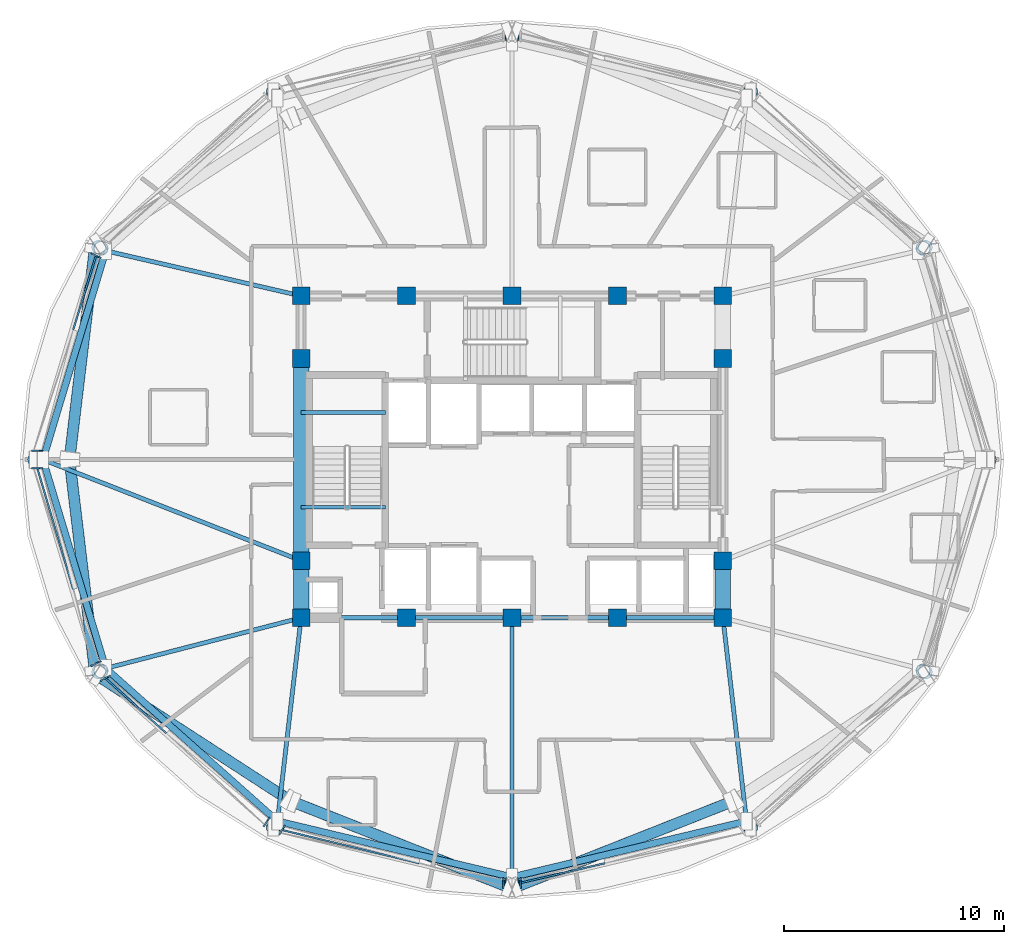
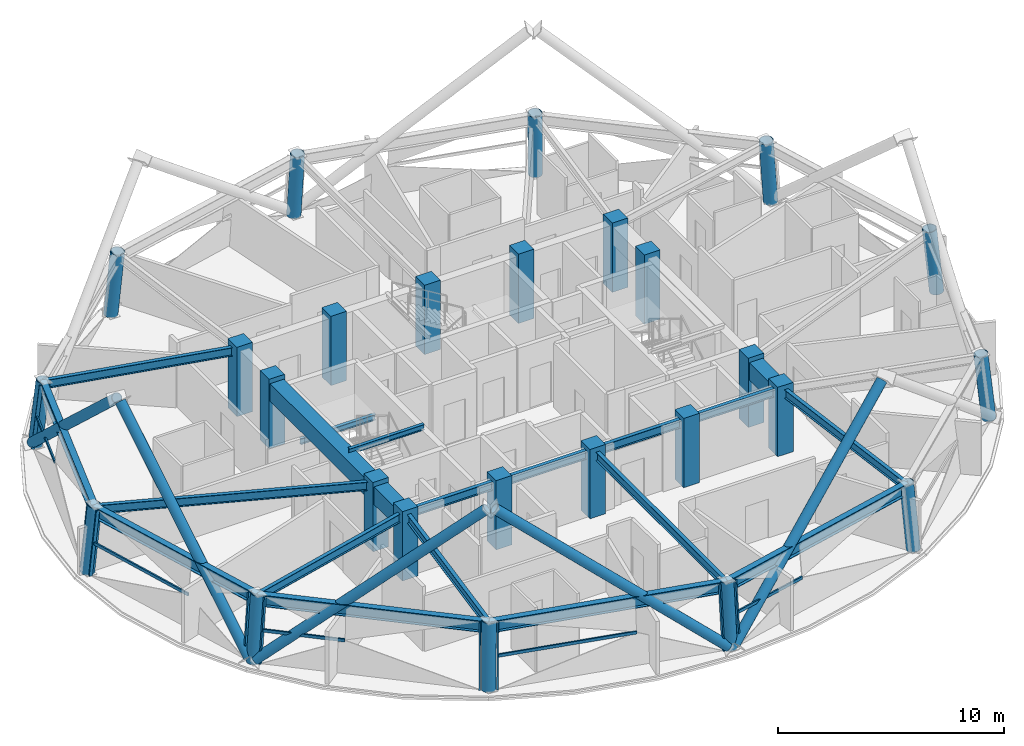
# One storey, part 1 of 12: 26 columns, 20 beams, 19 members, 5 elements without a shape of their own.
"""IFC4 building model written with IfcOpenShell, lengths in metres."""

from ifc_helpers import new_model, si_unit, direction, frame, origin, origin_2d, place, context, subcontext, project, spatial, rectangle, hollow_rectangle, hollow_circle, i_section, extrude, material, layer, layer_set, material_profile, profile_set, type_object, element, aggregate, save


model = new_model("IFC4")

# Units and contexts
model_context = context("Model", 3, precision=1e-05, world=origin(), true_north=direction((0.0, 1.0)))
body_context = subcontext(model_context, "Body", "Model", "MODEL_VIEW")
ifc_project = project(units=[si_unit("LENGTHUNIT", "METRE"), si_unit("AREAUNIT", "SQUARE_METRE"), si_unit("VOLUMEUNIT", "CUBIC_METRE"), si_unit("PLANEANGLEUNIT", "RADIAN"), si_unit("MASSUNIT", "GRAM", prefix="KILO")], contexts=[model_context])

# Site, building, storey
site_placement = place(None, origin())
site = spatial("IfcSite", under=ifc_project, at=site_placement, CompositionType="ELEMENT")
building_placement = place(site_placement, origin())
building = spatial("IfcBuilding", under=site, at=building_placement, Name="Vantalir Tower", CompositionType="ELEMENT")
storey_placement = place(building_placement, frame((0.0, 0.0, 249.89990234375)))
storey = spatial("IfcBuildingStorey", under=building, at=storey_placement, Name="L63", CompositionType="ELEMENT", Elevation=249.89990234375)

# Columns
ifc_material_1 = material(Name="Concrete C50/60", Category="concrete")
ifc_material_profile_1 = material_profile(ifc_material_1, rectangle(XDim=0.800048828125, YDim=0.800048828125, at=origin_2d()), Name="Concrete C50/60")
ifc_profile_set_1 = profile_set([ifc_material_profile_1], Name="Concrete C50/60")
column_type_1 = type_object("IfcColumnType", Name="COL-CC-800", PredefinedType="COLUMN", material=ifc_profile_set_1)
for number, where, z_axis, x_axis, name in (
    (1, (21.89990234375, 17.800048828125, 0.0), (0.0, 0.0, 1.0), (1.0, 0.0, 0.0), "L63 Core Column CC01"),
    (2, (26.699951171875, 17.800048828125, 0.0), (0.0, 0.0, 1.0), (1.0, 0.0, 0.0), "L63 Core Column CC02"),
    (3, (31.5, 17.800048828125, 0.0), (0.0, 0.0, 1.0), (1.0, 0.0, 0.0), "L63 Core Column CC03"),
    (4, (36.300048828125, 17.800048828125, 0.0), (0.0, 0.0, 1.0), (1.0, 0.0, 0.0), "L63 Core Column CC04"),
    (5, (41.10009765625, 17.800048828125, 0.0), (0.0, 0.0, 1.0), (1.0, 0.0, 0.0), "L63 Core Column CC05"),
    (6, (21.89990234375, 20.39990234375, 0.0), (0.0, 0.0, 1.0), (1.0, 0.0, 0.0), "L63 Core Column CC06"),
    (7, (21.89990234375, 29.60009765625, 0.0), (0.0, 0.0, 1.0), (1.0, 0.0, 0.0), "L63 Core Column CC07"),
    (8, (41.10009765625, 20.39990234375, 0.0), (0.0, 0.0, 1.0), (1.0, 0.0, 0.0), "L63 Core Column CC08"),
    (9, (41.10009765625, 29.60009765625, 0.0), (0.0, 0.0, 1.0), (1.0, 0.0, 0.0), "L63 Core Column CC09"),
    (10, (21.89990234375, 32.449951171875, 0.0), (0.0, 0.0, 1.0), (1.0, 0.0, 0.0), "L63 Core Column CC10"),
    (11, (26.699951171875, 32.449951171875, 0.0), (0.0, 0.0, 1.0), (1.0, 0.0, 0.0), "L63 Core Column CC11"),
    (12, (31.5, 32.449951171875, 0.0), (0.0, 0.0, 1.0), (1.0, 0.0, 0.0), "L63 Core Column CC12"),
    (13, (36.300048828125, 32.449951171875, 0.0), (0.0, 0.0, 1.0), (1.0, 0.0, 0.0), "L63 Core Column CC13"),
    (14, (41.10009765625, 32.449951171875, 0.0), (0.0, 0.0, 1.0), (1.0, 0.0, 0.0), "L63 Core Column CC14"),
):
    element("IfcColumn", number, at=place(storey_placement, frame(where, z_axis=z_axis, x_axis=x_axis)), inside=storey, type_object=column_type_1, Name=name, PredefinedType="COLUMN", context=body_context, shape_type="SweptSolid", body=[
        extrude(rectangle(XDim=0.800048828125, YDim=0.800048828125, at=origin_2d()), origin(), (0.0, 0.0, 1.0), 3.75),
    ])
ifc_material_2 = material(Name="Steel S460", Category="steel")
ifc_material_profile_2 = material_profile(ifc_material_2, hollow_circle(Radius=0.324951171875, WallThickness=0.030029296875, at=origin_2d()), Name="Steel S460")
ifc_profile_set_2 = profile_set([ifc_material_profile_2], Name="Steel S460")
column_type_2 = type_object("IfcColumnType", Name="COL-RC-650", PredefinedType="COLUMN", material=ifc_profile_set_2)
column_1_placement = place(storey_placement, frame((53.218017578125, 25.0, 0.0), z_axis=(-0.104543948341, 0.0, 0.9945202677), x_axis=(0.0, -1.0, 0.0)))
element("IfcColumn", 15, at=column_1_placement, inside=storey, type_object=column_type_2, Name="L63 Perimeter Ring Column RC01", PredefinedType="COLUMN", context=body_context, shape_type="SweptSolid", body=[
    extrude(hollow_circle(Radius=0.324951171875, WallThickness=0.030029296875, at=origin_2d()), origin(), (0.0, 0.0, 1.0), 3.519287109375),
])
column_2_placement = place(storey_placement, frame((50.30810546875, 34.666015625, 0.0), z_axis=(-0.09041848627, -0.04663179031, 0.994811526608), x_axis=(0.458364904761, -0.888764093606, 0.0)))
element("IfcColumn", 16, at=column_2_placement, inside=storey, type_object=column_type_2, Name="L63 Perimeter Ring Column RC02", PredefinedType="COLUMN", context=body_context, shape_type="SweptSolid", body=[
    extrude(hollow_circle(Radius=0.324951171875, WallThickness=0.030029296875, at=origin_2d()), origin(), (0.0, 0.0, 1.0), 3.518310546875),
])
column_3_placement = place(storey_placement, frame((42.35888671875, 41.742919921875, 0.0), z_axis=(-0.052280348299, -0.081024125451, 0.995340070668), x_axis=(0.840264904476, -0.542176069469, 0.0)))
element("IfcColumn", 17, at=column_3_placement, inside=storey, type_object=column_type_2, Name="L63 Perimeter Ring Column RC03", PredefinedType="COLUMN", context=body_context, shape_type="SweptSolid", body=[
    extrude(hollow_circle(Radius=0.324951171875, WallThickness=0.030029296875, at=origin_2d()), origin(), (0.0, 0.0, 1.0), 3.516357421875),
])
column_4_placement = place(storey_placement, frame((31.5, 44.3330078125, 0.0), z_axis=(0.0, -0.093616077373, 0.99560837183), x_axis=(1.0, 0.0, 0.0)))
element("IfcColumn", 18, at=column_4_placement, inside=storey, type_object=column_type_2, Name="L63 Perimeter Ring Column RC04", PredefinedType="COLUMN", context=body_context, shape_type="SweptSolid", body=[
    extrude(hollow_circle(Radius=0.324951171875, WallThickness=0.030029296875, at=origin_2d()), origin(), (0.0, 0.0, 1.0), 3.515380859375),
])
column_5_placement = place(storey_placement, frame((20.64111328125, 41.742919921875, 0.0), z_axis=(0.052280348299, -0.081024125451, 0.995340070668), x_axis=(0.840264904476, 0.542176069469, 0.0)))
element("IfcColumn", 19, at=column_5_placement, inside=storey, type_object=column_type_2, Name="L63 Perimeter Ring Column RC05", PredefinedType="COLUMN", context=body_context, shape_type="SweptSolid", body=[
    extrude(hollow_circle(Radius=0.324951171875, WallThickness=0.030029296875, at=origin_2d()), origin(), (0.0, 0.0, 1.0), 3.516357421875),
])
column_6_placement = place(storey_placement, frame((12.69189453125, 34.666015625, 0.0), z_axis=(0.09041848627, -0.04663179031, 0.994811526608), x_axis=(0.458364904761, 0.888764093606, 0.0)))
element("IfcColumn", 20, at=column_6_placement, inside=storey, type_object=column_type_2, Name="L63 Perimeter Ring Column RC06", PredefinedType="COLUMN", context=body_context, shape_type="SweptSolid", body=[
    extrude(hollow_circle(Radius=0.324951171875, WallThickness=0.030029296875, at=origin_2d()), origin(), (0.0, 0.0, 1.0), 3.518310546875),
])
column_7_placement = place(storey_placement, frame((9.781982421875, 25.0, 0.0), z_axis=(0.104543948341, 0.0, 0.9945202677), x_axis=(0.0, 1.0, 0.0)))
element("IfcColumn", 21, at=column_7_placement, inside=storey, type_object=column_type_2, Name="L63 Perimeter Ring Column RC07", PredefinedType="COLUMN", context=body_context, shape_type="SweptSolid", body=[
    extrude(hollow_circle(Radius=0.324951171875, WallThickness=0.030029296875, at=origin_2d()), origin(), (0.0, 0.0, 1.0), 3.519287109375),
])
column_8_placement = place(storey_placement, frame((12.69189453125, 15.3330078125, 0.0), z_axis=(0.09041731247, 0.046908751519, 0.9947986121), x_axis=(-0.460516000373, 0.887651403086, 0.0)))
element("IfcColumn", 22, at=column_8_placement, inside=storey, type_object=column_type_2, Name="L63 Perimeter Ring Column RC08", PredefinedType="COLUMN", context=body_context, shape_type="SweptSolid", body=[
    extrude(hollow_circle(Radius=0.324951171875, WallThickness=0.030029296875, at=origin_2d()), origin(), (0.0, 0.0, 1.0), 3.518310546875),
])
column_9_placement = place(storey_placement, frame((20.64111328125, 8.257080078125, 0.0), z_axis=(0.052280348299, 0.081024125451, 0.995340070668), x_axis=(-0.840264904476, 0.542176069469, 0.0)))
element("IfcColumn", 23, at=column_9_placement, inside=storey, type_object=column_type_2, Name="L63 Perimeter Ring Column RC09", PredefinedType="COLUMN", context=body_context, shape_type="SweptSolid", body=[
    extrude(hollow_circle(Radius=0.324951171875, WallThickness=0.030029296875, at=origin_2d()), origin(), (0.0, 0.0, 1.0), 3.516357421875),
])
column_10_placement = place(storey_placement, frame((31.5, 5.6669921875, 0.0), z_axis=(0.0, 0.093616077373, 0.99560837183), x_axis=(-1.0, 0.0, 0.0)))
element("IfcColumn", 24, at=column_10_placement, inside=storey, type_object=column_type_2, Name="L63 Perimeter Ring Column RC10", PredefinedType="COLUMN", context=body_context, shape_type="SweptSolid", body=[
    extrude(hollow_circle(Radius=0.324951171875, WallThickness=0.030029296875, at=origin_2d()), origin(), (0.0, 0.0, 1.0), 3.515380859375),
])
column_11_placement = place(storey_placement, frame((42.35888671875, 8.257080078125, 0.0), z_axis=(-0.052280348299, 0.081024125451, 0.995340070668), x_axis=(-0.840264904476, -0.542176069469, 0.0)))
element("IfcColumn", 25, at=column_11_placement, inside=storey, type_object=column_type_2, Name="L63 Perimeter Ring Column RC11", PredefinedType="COLUMN", context=body_context, shape_type="SweptSolid", body=[
    extrude(hollow_circle(Radius=0.324951171875, WallThickness=0.030029296875, at=origin_2d()), origin(), (0.0, 0.0, 1.0), 3.516357421875),
])
column_12_placement = place(storey_placement, frame((50.30810546875, 15.3330078125, 0.0), z_axis=(-0.09041731247, 0.046908751519, 0.9947986121), x_axis=(-0.460516000373, -0.887651403086, 0.0)))
element("IfcColumn", 26, at=column_12_placement, inside=storey, type_object=column_type_2, Name="L63 Perimeter Ring Column RC12", PredefinedType="COLUMN", context=body_context, shape_type="SweptSolid", body=[
    extrude(hollow_circle(Radius=0.324951171875, WallThickness=0.030029296875, at=origin_2d()), origin(), (0.0, 0.0, 1.0), 3.518310546875),
])

# Beams
ifc_material_3 = material(Name="Concrete C60/75", Category="concrete")
ifc_material_profile_3 = material_profile(ifc_material_3, rectangle(XDim=0.699951171875, YDim=0.949951171875, at=origin_2d()), Name="Concrete C60/75")
ifc_profile_set_3 = profile_set([ifc_material_profile_3], Name="Concrete C60/75")
beam_type_1 = type_object("IfcBeamType", Name="BM-CB-700x950", PredefinedType="USERDEFINED", material=ifc_profile_set_3)
beam_1_placement = place(storey_placement, frame((41.10009765625, 17.800048828125, 3.025146484375), z_axis=(0.0, 1.0, 0.0), x_axis=(-1.0, 0.0, 0.0)))
element("IfcBeam", 27, at=beam_1_placement, inside=storey, type_object=beam_type_1, Name="L63 Core Coupling Girder 05", ObjectType="GIRDER", PredefinedType="USERDEFINED", context=body_context, shape_type="SweptSolid", body=[
    extrude(rectangle(XDim=0.699951171875, YDim=0.949951171875, at=origin_2d()), origin(), (0.0, 0.0, 1.0), 2.599853515625),
])
beam_2_placement = place(storey_placement, frame((21.89990234375, 29.60009765625, 3.025146484375), z_axis=(0.0, -1.0, 0.0), x_axis=(1.0, 0.0, 0.0)))
element("IfcBeam", 28, at=beam_2_placement, inside=storey, type_object=beam_type_1, Name="L63 Core Coupling Girder 13", ObjectType="GIRDER", PredefinedType="USERDEFINED", context=body_context, shape_type="SweptSolid", body=[
    extrude(rectangle(XDim=0.699951171875, YDim=0.949951171875, at=origin_2d()), origin(), (0.0, 0.0, 1.0), 9.2001953125),
])
beam_3_placement = place(storey_placement, frame((21.89990234375, 20.39990234375, 3.025146484375), z_axis=(0.0, -1.0, 0.0), x_axis=(1.0, 0.0, 0.0)))
element("IfcBeam", 29, at=beam_3_placement, inside=storey, type_object=beam_type_1, Name="L63 Core Coupling Girder 14", ObjectType="GIRDER", PredefinedType="USERDEFINED", context=body_context, shape_type="SweptSolid", body=[
    extrude(rectangle(XDim=0.699951171875, YDim=0.949951171875, at=origin_2d()), origin(), (0.0, 0.0, 1.0), 2.599853515625),
])
ifc_material_4 = material(Name="Steel S355", Category="steel")
ifc_material_profile_4 = material_profile(ifc_material_4, i_section(OverallWidth=0.166015625, OverallDepth=0.306884765625, WebThickness=0.006591796875, FlangeThickness=0.01171875, at=origin_2d()), Name="Steel S355")
ifc_profile_set_4 = profile_set([ifc_material_profile_4], Name="Steel S355")
beam_type_2 = type_object("IfcBeamType", Name="BM-JS-305x165", PredefinedType="JOIST", material=ifc_profile_set_4)
for number, where, z_axis, x_axis, name in (
    (30, (21.89990234375, 22.8349609375, 3.59619140625), (1.0, 0.0, 0.0), (0.0, 1.0, 0.0), "L64 Stair ST1 Well Nosing Trimmer Beam"),
    (31, (21.89990234375, 27.14501953125, 1.52099609375), (1.0, 0.0, 0.0), (0.0, 1.0, 0.0), "L63 Stair ST1 Half-Landing Support Beam"),
):
    element("IfcBeam", number, at=place(storey_placement, frame(where, z_axis=z_axis, x_axis=x_axis)), inside=storey, type_object=beam_type_2, Name=name, PredefinedType="JOIST", context=body_context, shape_type="SweptSolid", body=[
        extrude(i_section(OverallWidth=0.166015625, OverallDepth=0.306884765625, WebThickness=0.006591796875, FlangeThickness=0.01171875, at=origin_2d()), origin(), (0.0, 0.0, 1.0), 3.840087890625),
    ])
ifc_material_profile_5 = material_profile(ifc_material_4, i_section(OverallWidth=0.19189453125, OverallDepth=0.462890625, WebThickness=0.010498046875, FlangeThickness=0.017578125, at=origin_2d()), Name="Steel S355")
ifc_profile_set_5 = profile_set([ifc_material_profile_5], Name="Steel S355")
beam_type_3 = type_object("IfcBeamType", Name="BM-RB-457x191", PredefinedType="BEAM", material=ifc_profile_set_5)
for number, where, z_axis, x_axis, name in (
    (32, (21.89990234375, 17.800048828125, 3.26806640625), (1.0, 0.0, 0.0), (0.0, 1.0, 0.0), "L63 Core Coupling Girder 01"),
    (33, (26.699951171875, 17.800048828125, 3.26806640625), (1.0, 0.0, 0.0), (0.0, 1.0, 0.0), "L63 Core Coupling Girder 02"),
    (34, (31.5, 17.800048828125, 3.26806640625), (1.0, 0.0, 0.0), (0.0, 1.0, 0.0), "L63 Core Coupling Girder 03"),
    (35, (36.300048828125, 17.800048828125, 3.26806640625), (1.0, 0.0, 0.0), (0.0, 1.0, 0.0), "L63 Core Coupling Girder 04"),
):
    element("IfcBeam", number, at=place(storey_placement, frame(where, z_axis=z_axis, x_axis=x_axis)), inside=storey, type_object=beam_type_3, Name=name, PredefinedType="BEAM", context=body_context, shape_type="SweptSolid", body=[
        extrude(i_section(OverallWidth=0.19189453125, OverallDepth=0.462890625, WebThickness=0.010498046875, FlangeThickness=0.017578125, at=origin_2d()), origin(), (0.0, 0.0, 1.0), 4.800048828125),
    ])
beam_4_placement = place(storey_placement, frame((13.010009765625, 34.501953125, 3.26806640625), z_axis=(0.974379468468, -0.224910318635, 0.0), x_axis=(0.224910318635, 0.974379468468, 0.0)))
element("IfcBeam", 36, at=beam_4_placement, inside=storey, type_object=beam_type_3, Name="L63 Radial Floor Beam 06", PredefinedType="BEAM", context=body_context, shape_type="SweptSolid", body=[
    extrude(i_section(OverallWidth=0.19189453125, OverallDepth=0.462890625, WebThickness=0.010498046875, FlangeThickness=0.017578125, at=origin_2d()), origin(), (0.0, 0.0, 1.0), 9.12353515625),
])
beam_5_placement = place(storey_placement, frame((10.14990234375, 25.0, 3.26806640625), z_axis=(0.931181677614, -0.364555459807, 0.0), x_axis=(0.364555459807, 0.931181677614, 0.0)))
element("IfcBeam", 37, at=beam_5_placement, inside=storey, type_object=beam_type_3, Name="L63 Radial Floor Beam 07", PredefinedType="BEAM", context=body_context, shape_type="SweptSolid", body=[
    extrude(i_section(OverallWidth=0.19189453125, OverallDepth=0.462890625, WebThickness=0.010498046875, FlangeThickness=0.017578125, at=origin_2d()), origin(), (0.0, 0.0, 1.0), 12.618408203125),
])
beam_6_placement = place(storey_placement, frame((13.010009765625, 15.498046875, 3.26806640625), z_axis=(0.968070531378, 0.250677973261, 0.0), x_axis=(-0.250677973261, 0.968070531378, 0.0)))
element("IfcBeam", 38, at=beam_6_placement, inside=storey, type_object=beam_type_3, Name="L63 Radial Floor Beam 08", PredefinedType="BEAM", context=body_context, shape_type="SweptSolid", body=[
    extrude(i_section(OverallWidth=0.19189453125, OverallDepth=0.462890625, WebThickness=0.010498046875, FlangeThickness=0.017578125, at=origin_2d()), origin(), (0.0, 0.0, 1.0), 9.18310546875),
])
beam_7_placement = place(storey_placement, frame((20.824951171875, 8.5419921875, 3.26806640625), z_axis=(0.115334966544, 0.993326655986, 0.0), x_axis=(-0.993326655986, 0.115334966544, 0.0)))
element("IfcBeam", 39, at=beam_7_placement, inside=storey, type_object=beam_type_3, Name="L63 Radial Floor Beam 09", PredefinedType="BEAM", context=body_context, shape_type="SweptSolid", body=[
    extrude(i_section(OverallWidth=0.19189453125, OverallDepth=0.462890625, WebThickness=0.010498046875, FlangeThickness=0.017578125, at=origin_2d()), origin(), (0.0, 0.0, 1.0), 9.3203125),
])
beam_8_placement = place(storey_placement, frame((31.5, 5.99609375, 3.26806640625), z_axis=(0.0, 1.0, 0.0), x_axis=(-1.0, 0.0, 0.0)))
element("IfcBeam", 40, at=beam_8_placement, inside=storey, type_object=beam_type_3, Name="L63 Radial Floor Beam 10", PredefinedType="BEAM", context=body_context, shape_type="SweptSolid", body=[
    extrude(i_section(OverallWidth=0.19189453125, OverallDepth=0.462890625, WebThickness=0.010498046875, FlangeThickness=0.017578125, at=origin_2d()), origin(), (0.0, 0.0, 1.0), 11.803955078125),
])
beam_9_placement = place(storey_placement, frame((42.175048828125, 8.5419921875, 3.26806640625), z_axis=(-0.115334966544, 0.993326655986, 0.0), x_axis=(-0.993326655986, -0.115334966544, 0.0)))
element("IfcBeam", 41, at=beam_9_placement, inside=storey, type_object=beam_type_3, Name="L63 Radial Floor Beam 11", PredefinedType="BEAM", context=body_context, shape_type="SweptSolid", body=[
    extrude(i_section(OverallWidth=0.19189453125, OverallDepth=0.462890625, WebThickness=0.010498046875, FlangeThickness=0.017578125, at=origin_2d()), origin(), (0.0, 0.0, 1.0), 9.3203125),
])
ifc_material_profile_6 = material_profile(ifc_material_2, i_section(OverallWidth=0.306884765625, OverallDepth=0.6201171875, WebThickness=0.01416015625, FlangeThickness=0.023681640625, at=origin_2d()), Name="Steel S460")
ifc_profile_set_6 = profile_set([ifc_material_profile_6], Name="Steel S460")
beam_type_4 = type_object("IfcBeamType", Name="BM-RG-610x305", PredefinedType="USERDEFINED", material=ifc_profile_set_6)
for number, where, z_axis, x_axis, name in (
    (42, (13.010009765625, 34.501953125, 3.190185546875), (-0.288228067012, -0.957561789853, 0.0), (0.957561789853, -0.288228067012, 0.0), "L63 Circumferential Ring Girder 06"),
    (43, (10.14990234375, 25.0, 3.190185546875), (0.288228067012, -0.957561789853, 0.0), (0.957561789853, 0.288228067012, 0.0), "L63 Circumferential Ring Girder 07"),
):
    element("IfcBeam", number, at=place(storey_placement, frame(where, z_axis=z_axis, x_axis=x_axis)), inside=storey, type_object=beam_type_4, Name=name, ObjectType="GIRDER", PredefinedType="USERDEFINED", context=body_context, shape_type="SweptSolid", body=[
        extrude(i_section(OverallWidth=0.306884765625, OverallDepth=0.6201171875, WebThickness=0.01416015625, FlangeThickness=0.023681640625, at=origin_2d()), origin(), (0.0, 0.0, 1.0), 9.923095703125),
    ])
beam_10_placement = place(storey_placement, frame((13.010009765625, 15.498046875, 3.190185546875), z_axis=(0.746961112069, -0.664867728993, 0.0), x_axis=(0.664867728993, 0.746961112069, 0.0)))
element("IfcBeam", 44, at=beam_10_placement, inside=storey, type_object=beam_type_4, Name="L63 Circumferential Ring Girder 08", ObjectType="GIRDER", PredefinedType="USERDEFINED", context=body_context, shape_type="SweptSolid", body=[
    extrude(i_section(OverallWidth=0.306884765625, OverallDepth=0.6201171875, WebThickness=0.01416015625, FlangeThickness=0.023681640625, at=origin_2d()), origin(), (0.0, 0.0, 1.0), 10.46240234375),
])
for number, where, z_axis, x_axis, name in (
    (45, (20.824951171875, 8.5419921875, 3.190185546875), (0.972719500618, -0.231984424298, 0.0), (0.231984424298, 0.972719500618, 0.0), "L63 Circumferential Ring Girder 09"),
    (46, (31.5, 5.99609375, 3.190185546875), (0.972719500618, 0.231984424298, 0.0), (-0.231984424298, 0.972719500618, 0.0), "L63 Circumferential Ring Girder 10"),
):
    element("IfcBeam", number, at=place(storey_placement, frame(where, z_axis=z_axis, x_axis=x_axis)), inside=storey, type_object=beam_type_4, Name=name, ObjectType="GIRDER", PredefinedType="USERDEFINED", context=body_context, shape_type="SweptSolid", body=[
        extrude(i_section(OverallWidth=0.306884765625, OverallDepth=0.6201171875, WebThickness=0.01416015625, FlangeThickness=0.023681640625, at=origin_2d()), origin(), (0.0, 0.0, 1.0), 10.974365234375),
    ])

# Curtain wall, members
ifc_material_5 = material(Name="Champagne-silver PVDF aluminium and double-silver Low-E glass", Category="aluminium")
ifc_layer = layer(ifc_material_5, 0.2099609375)
ifc_layer_set = layer_set([ifc_layer], Name="Champagne-silver PVDF aluminium and double-silver Low-E glass")
curtain_wall_type = type_object("IfcCurtainWallType", Name="CW-DIAMOND-Z3", PredefinedType="USERDEFINED", material=ifc_layer_set)
curtain_wall_1_placement = place(storey_placement, origin())
curtain_wall_1 = element("IfcCurtainWall", 47, at=curtain_wall_1_placement, inside=storey, type_object=curtain_wall_type, Name="L63 Quilted Pyramid-Diamond Curtain Wall S06", ObjectType="UNITISED CURTAIN WALL", PredefinedType="USERDEFINED")
ifc_material_6 = material(Name="Champagne-silver PVDF aluminium 6063-T6", Category="aluminium")
ifc_material_profile_7 = material_profile(ifc_material_6, hollow_rectangle(XDim=0.070068359375, YDim=0.1650390625, WallThickness=0.00390625, at=origin_2d()), Name="Champagne-silver PVDF aluminium 6063-T6")
ifc_profile_set_7 = profile_set([ifc_material_profile_7], Name="Champagne-silver PVDF aluminium 6063-T6")
member_type_1 = type_object("IfcMemberType", Name="CWM-165x70", PredefinedType="MULLION", material=ifc_profile_set_7)
member_1_placement = place(storey_placement, frame((12.408935546875, 34.367919921875, 0.045166015625), z_axis=(0.093064266323, -0.047778211708, 0.994513089315), x_axis=(0.456717339037, 0.889611866053, 0.0)))
member_1 = element("IfcMember", 48, at=member_1_placement, type_object=member_type_1, Name="CW-L63-S06 Mullion 1", PredefinedType="MULLION", context=body_context, shape_type="SweptSolid", body=[
    extrude(hollow_rectangle(XDim=0.070068359375, YDim=0.1650390625, WallThickness=0.00390625, at=origin_2d()), origin(), (0.0, 0.0, 1.0), 3.4287109375),
])
member_2_placement = place(storey_placement, frame((9.7099609375, 25.39306640625, 0.045166015625), z_axis=(0.107274558481, 0.0, 0.99422943484), x_axis=(0.0, 1.0, 0.0)))
member_2 = element("IfcMember", 49, at=member_2_placement, type_object=member_type_1, Name="CW-L63-S06 Mullion 2", PredefinedType="MULLION", context=body_context, shape_type="SweptSolid", body=[
    extrude(hollow_rectangle(XDim=0.070068359375, YDim=0.1650390625, WallThickness=0.00390625, at=origin_2d()), origin(), (0.0, 0.0, 1.0), 3.4296875),
])

curtain_wall_2_placement = place(storey_placement, origin())
curtain_wall_2 = element("IfcCurtainWall", 50, at=curtain_wall_2_placement, inside=storey, type_object=curtain_wall_type, Name="L63 Quilted Pyramid-Diamond Curtain Wall S07", ObjectType="UNITISED CURTAIN WALL", PredefinedType="USERDEFINED")
member_3_placement = place(storey_placement, frame((9.7099609375, 24.60693359375, 0.045166015625), z_axis=(0.107274558481, 0.0, 0.99422943484), x_axis=(0.0, 1.0, 0.0)))
member_3 = element("IfcMember", 51, at=member_3_placement, type_object=member_type_1, Name="CW-L63-S07 Mullion 1", PredefinedType="MULLION", context=body_context, shape_type="SweptSolid", body=[
    extrude(hollow_rectangle(XDim=0.070068359375, YDim=0.1650390625, WallThickness=0.00390625, at=origin_2d()), origin(), (0.0, 0.0, 1.0), 3.4296875),
])
member_4_placement = place(storey_placement, frame((12.408935546875, 15.631103515625, 0.045166015625), z_axis=(0.093062996147, 0.04806237368, 0.994499515829), x_axis=(-0.458868016969, 0.888504441746, 0.0)))
member_4 = element("IfcMember", 52, at=member_4_placement, type_object=member_type_1, Name="CW-L63-S07 Mullion 2", PredefinedType="MULLION", context=body_context, shape_type="SweptSolid", body=[
    extrude(hollow_rectangle(XDim=0.070068359375, YDim=0.1650390625, WallThickness=0.00390625, at=origin_2d()), origin(), (0.0, 0.0, 1.0), 3.4287109375),
])

curtain_wall_3_placement = place(storey_placement, origin())
curtain_wall_3 = element("IfcCurtainWall", 53, at=curtain_wall_3_placement, inside=storey, type_object=curtain_wall_type, Name="L63 Quilted Pyramid-Diamond Curtain Wall S08", ObjectType="UNITISED CURTAIN WALL", PredefinedType="USERDEFINED")
member_5_placement = place(storey_placement, frame((12.8330078125, 14.965087890625, 0.045166015625), z_axis=(0.093062996147, 0.04806237368, 0.994499515829), x_axis=(-0.458868016969, 0.888504441746, 0.0)))
member_5 = element("IfcMember", 54, at=member_5_placement, type_object=member_type_1, Name="CW-L63-S08 Mullion 1", PredefinedType="MULLION", context=body_context, shape_type="SweptSolid", body=[
    extrude(hollow_rectangle(XDim=0.070068359375, YDim=0.1650390625, WallThickness=0.00390625, at=origin_2d()), origin(), (0.0, 0.0, 1.0), 3.4287109375),
])
member_6_placement = place(storey_placement, frame((20.239990234375, 8.365966796875, 0.045166015625), z_axis=(0.053719253944, 0.083143725932, 0.995088620472), x_axis=(-0.839936857657, 0.542684139394, 0.0)))
member_6 = element("IfcMember", 55, at=member_6_placement, type_object=member_type_1, Name="CW-L63-S08 Mullion 2", PredefinedType="MULLION", context=body_context, shape_type="SweptSolid", body=[
    extrude(hollow_rectangle(XDim=0.070068359375, YDim=0.1650390625, WallThickness=0.00390625, at=origin_2d()), origin(), (0.0, 0.0, 1.0), 3.4267578125),
])

curtain_wall_4_placement = place(storey_placement, origin())
curtain_wall_4 = element("IfcCurtainWall", 56, at=curtain_wall_4_placement, inside=storey, type_object=curtain_wall_type, Name="L63 Quilted Pyramid-Diamond Curtain Wall S09", ObjectType="UNITISED CURTAIN WALL", PredefinedType="USERDEFINED")
member_7_placement = place(storey_placement, frame((20.945068359375, 7.998046875, 0.045166015625), z_axis=(0.053648213439, 0.083144043936, 0.995092426437), x_axis=(-0.840264904476, 0.542176069469, 0.0)))
member_7 = element("IfcMember", 57, at=member_7_placement, type_object=member_type_1, Name="CW-L63-S09 Mullion 1", PredefinedType="MULLION", context=body_context, shape_type="SweptSolid", body=[
    extrude(hollow_rectangle(XDim=0.070068359375, YDim=0.1650390625, WallThickness=0.00390625, at=origin_2d()), origin(), (0.0, 0.0, 1.0), 3.4267578125),
])
member_8_placement = place(storey_placement, frame((31.10107421875, 5.572021484375, 0.045166015625), z_axis=(0.0, 0.095996215968, 0.995381698907), x_axis=(-1.0, 0.0, 0.0)))
member_8 = element("IfcMember", 58, at=member_8_placement, type_object=member_type_1, Name="CW-L63-S09 Mullion 2", PredefinedType="MULLION", context=body_context, shape_type="SweptSolid", body=[
    extrude(hollow_rectangle(XDim=0.070068359375, YDim=0.1650390625, WallThickness=0.00390625, at=origin_2d()), origin(), (0.0, 0.0, 1.0), 3.42578125),
])

# Curtain wall, member
curtain_wall_5_placement = place(storey_placement, origin())
curtain_wall_5 = element("IfcCurtainWall", 59, at=curtain_wall_5_placement, inside=storey, type_object=curtain_wall_type, Name="L63 Quilted Pyramid-Diamond Curtain Wall S10", ObjectType="UNITISED CURTAIN WALL", PredefinedType="USERDEFINED")
member_9_placement = place(storey_placement, frame((31.89892578125, 5.572021484375, 0.045166015625), z_axis=(0.0, 0.095996215968, 0.995381698907), x_axis=(-1.0, 0.0, 0.0)))
member_9 = element("IfcMember", 60, at=member_9_placement, type_object=member_type_1, Name="CW-L63-S10 Mullion 1", PredefinedType="MULLION", context=body_context, shape_type="SweptSolid", body=[
    extrude(hollow_rectangle(XDim=0.070068359375, YDim=0.1650390625, WallThickness=0.00390625, at=origin_2d()), origin(), (0.0, 0.0, 1.0), 3.42578125),
])

# Member
ifc_material_profile_8 = material_profile(ifc_material_6, hollow_rectangle(XDim=0.074951171875, YDim=0.159912109375, WallThickness=0.00390625, at=origin_2d()), Name="Champagne-silver PVDF aluminium 6063-T6")
ifc_profile_set_8 = profile_set([ifc_material_profile_8], Name="Champagne-silver PVDF aluminium 6063-T6")
member_type_2 = type_object("IfcMemberType", Name="CWT-160x75", PredefinedType="USERDEFINED", material=ifc_profile_set_8)
member_10_placement = place(storey_placement, frame((12.568115234375, 34.285888671875, 1.75), z_axis=(-0.29449425997, -0.955653248226, 0.0), x_axis=(0.955653248226, -0.29449425997, 0.0)))
member_10 = element("IfcMember", 61, at=member_10_placement, type_object=member_type_2, Name="CW-L63-S06 Pyramid Fold Ridge Transom", ObjectType="TRANSOM", PredefinedType="USERDEFINED", context=body_context, shape_type="SweptSolid", body=[
    extrude(hollow_rectangle(XDim=0.074951171875, YDim=0.159912109375, WallThickness=0.00390625, at=origin_2d()), origin(), (0.0, 0.0, 1.0), 3.5283203125),
])

aggregate(curtain_wall_1, [member_1, member_2, member_10])

member_11_placement = place(storey_placement, frame((9.89404296875, 24.60693359375, 1.75), z_axis=(0.283954068551, -0.958837883562, 0.0), x_axis=(0.958837883562, 0.283954068551, 0.0)))
member_11 = element("IfcMember", 62, at=member_11_placement, type_object=member_type_2, Name="CW-L63-S07 Pyramid Fold Ridge Transom", ObjectType="TRANSOM", PredefinedType="USERDEFINED", context=body_context, shape_type="SweptSolid", body=[
    extrude(hollow_rectangle(XDim=0.074951171875, YDim=0.159912109375, WallThickness=0.00390625, at=origin_2d()), origin(), (0.0, 0.0, 1.0), 5.758056640625),
])

aggregate(curtain_wall_2, [member_3, member_4, member_11])

member_12_placement = place(storey_placement, frame((12.992919921875, 15.048095703125, 1.75), z_axis=(0.742362954876, -0.669997942705, 0.0), x_axis=(0.669997942705, 0.742362954876, 0.0)))
member_12 = element("IfcMember", 63, at=member_12_placement, type_object=member_type_2, Name="CW-L63-S08 Pyramid Fold Ridge Transom", ObjectType="TRANSOM", PredefinedType="USERDEFINED", context=body_context, shape_type="SweptSolid", body=[
    extrude(hollow_rectangle(XDim=0.074951171875, YDim=0.159912109375, WallThickness=0.00390625, at=origin_2d()), origin(), (0.0, 0.0, 1.0), 3.7314453125),
])

aggregate(curtain_wall_3, [member_5, member_6, member_12])

member_13_placement = place(storey_placement, frame((21.037109375, 8.139892578125, 1.75), z_axis=(0.971789602341, -0.235849462118, 0.0), x_axis=(0.235849462118, 0.971789602341, 0.0)))
member_13 = element("IfcMember", 64, at=member_13_placement, type_object=member_type_2, Name="CW-L63-S09 Pyramid Fold Ridge Transom", ObjectType="TRANSOM", PredefinedType="USERDEFINED", context=body_context, shape_type="SweptSolid", body=[
    extrude(hollow_rectangle(XDim=0.074951171875, YDim=0.159912109375, WallThickness=0.00390625, at=origin_2d()), origin(), (0.0, 0.0, 1.0), 6.414794921875),
])

aggregate(curtain_wall_4, [member_7, member_8, member_13])

member_14_placement = place(storey_placement, frame((31.89892578125, 5.737060546875, 1.75), z_axis=(0.974054199312, 0.226314862091, 0.0), x_axis=(-0.226314862091, 0.974054199312, 0.0)))
member_14 = element("IfcMember", 65, at=member_14_placement, type_object=member_type_2, Name="CW-L63-S10 Pyramid Fold Ridge Transom", ObjectType="TRANSOM", PredefinedType="USERDEFINED", context=body_context, shape_type="SweptSolid", body=[
    extrude(hollow_rectangle(XDim=0.074951171875, YDim=0.159912109375, WallThickness=0.00390625, at=origin_2d()), origin(), (0.0, 0.0, 1.0), 3.93212890625),
])

aggregate(curtain_wall_5, [member_9, member_14])

# Members
ifc_material_profile_9 = material_profile(ifc_material_2, hollow_circle(Radius=0.25, WallThickness=0.031982421875, at=origin_2d()), Name="Steel S460")
ifc_profile_set_9 = profile_set([ifc_material_profile_9], Name="Steel S460")
member_type_3 = type_object("IfcMemberType", Name="MEM-DB-500x32", PredefinedType="BRACE", material=ifc_profile_set_9)
member_15_placement = place(storey_placement, frame((12.508056640625, 34.597900390625, 0.22705078125), z_axis=(-0.088492146433, -0.739411675439, 0.667412551758), x_axis=(0.992914477604, -0.118831141388, 0.0)))
element("IfcMember", 66, at=member_15_placement, inside=storey, type_object=member_type_3, Name="L63 Perimeter S460 Diagrid Brace R16L", PredefinedType="BRACE", context=body_context, shape_type="SweptSolid", body=[
    extrude(hollow_circle(Radius=0.25, WallThickness=0.031982421875, at=origin_2d()), origin(), (0.0, 0.0, 1.0), 12.760009765625),
])
member_16_placement = place(storey_placement, frame((12.6689453125, 15.14599609375, 0.22119140625), z_axis=(0.645476823649, -0.418927330055, 0.638638835544), x_axis=(0.544410300496, 0.83881906554, 0.0)))
element("IfcMember", 67, at=member_16_placement, inside=storey, type_object=member_type_3, Name="L63 Perimeter S460 Diagrid Brace R22L", PredefinedType="BRACE", context=body_context, shape_type="SweptSolid", body=[
    extrude(hollow_circle(Radius=0.25, WallThickness=0.031982421875, at=origin_2d()), origin(), (0.0, 0.0, 1.0), 13.35302734375),
])
member_17_placement = place(storey_placement, frame((12.508056640625, 15.40087890625, 0.22705078125), z_axis=(-0.088485886985, 0.739455033939, 0.667365342662), x_axis=(-0.992916291307, -0.1188159857, 0.0)))
element("IfcMember", 68, at=member_17_placement, inside=storey, type_object=member_type_3, Name="L63 Perimeter S460 Diagrid Brace R22R", PredefinedType="BRACE", context=body_context, shape_type="SweptSolid", body=[
    extrude(hollow_circle(Radius=0.25, WallThickness=0.031982421875, at=origin_2d()), origin(), (0.0, 0.0, 1.0), 12.7607421875),
])
for number, where, z_axis, x_axis, name in (
    (69, (31.658935546875, 5.5400390625, 0.218994140625), (0.721336093291, 0.285291097582, 0.631096846892), (-0.367783432837, 0.929911472416, 0.0), "L63 Perimeter S460 Diagrid Brace R28L"),
    (70, (31.341064453125, 5.5400390625, 0.218994140625), (-0.721336093291, 0.285291097582, 0.631096846892), (-0.367783432837, -0.929911472416, 0.0), "L63 Perimeter S460 Diagrid Brace R28R"),
):
    element("IfcMember", number, at=place(storey_placement, frame(where, z_axis=z_axis, x_axis=x_axis)), inside=storey, type_object=member_type_3, Name=name, PredefinedType="BRACE", context=body_context, shape_type="SweptSolid", body=[
        extrude(hollow_circle(Radius=0.25, WallThickness=0.031982421875, at=origin_2d()), origin(), (0.0, 0.0, 1.0), 13.519287109375),
    ])

save(model, "model.ifc")
